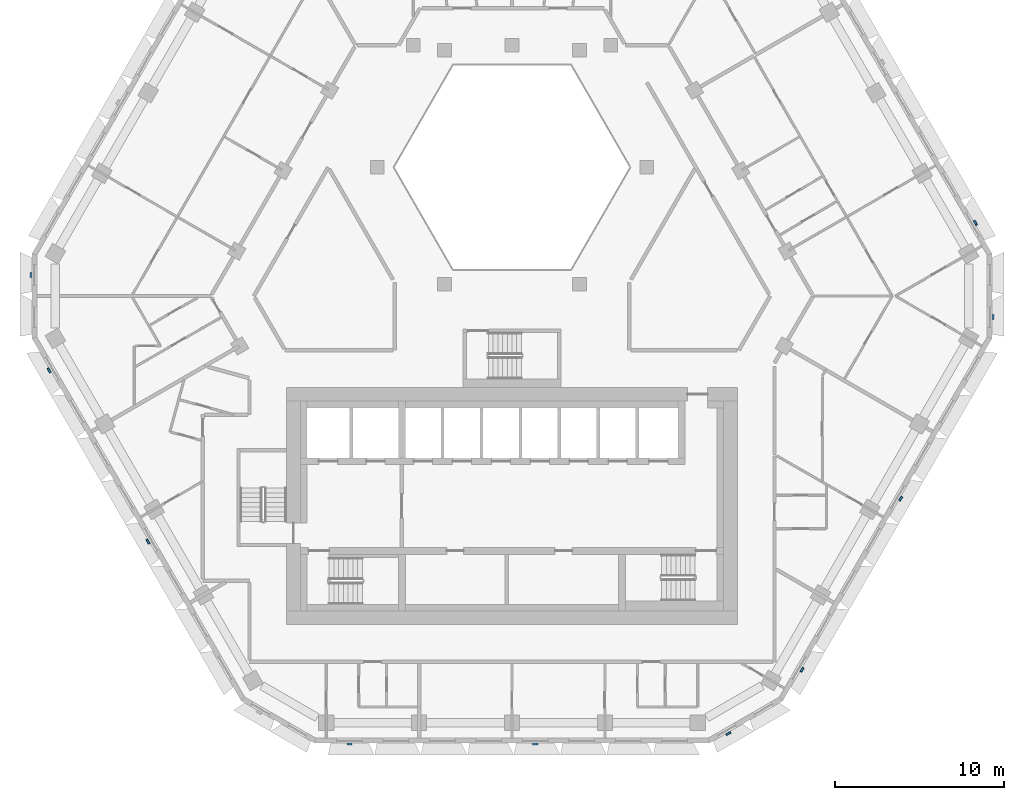
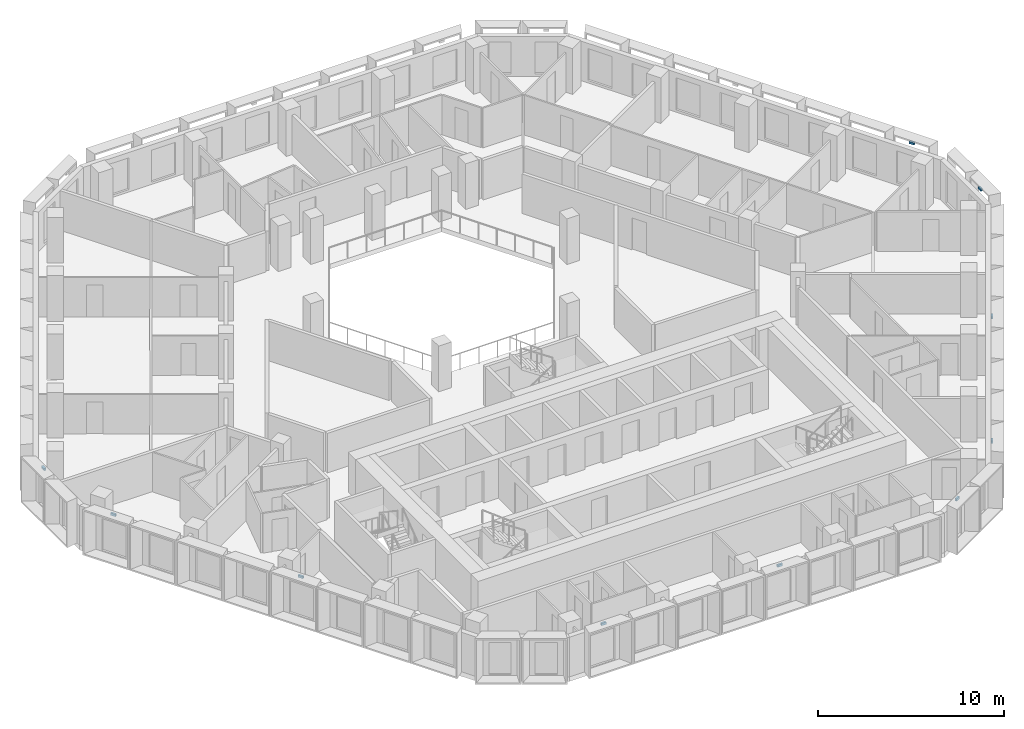
# One storey, part 10 of 17: 10 discrete accessories.
"""IFC4 building model written with IfcOpenShell, lengths in metres."""

from ifc_helpers import new_model, si_unit, direction, frame, origin, place, context, subcontext, project, spatial, polyline, outline, extrude, source, transform, mapped, material, type_object, type_shapes, element, save


model = new_model("IFC4")

# Units and contexts
model_context = context("Model", 3, precision=1e-05, world=origin(), true_north=direction((0.0, 1.0)))
body_context = subcontext(model_context, "Body", "Model", "MODEL_VIEW")
ifc_project = project(units=[si_unit("LENGTHUNIT", "METRE"), si_unit("AREAUNIT", "SQUARE_METRE"), si_unit("VOLUMEUNIT", "CUBIC_METRE"), si_unit("PLANEANGLEUNIT", "RADIAN"), si_unit("MASSUNIT", "GRAM", prefix="KILO")], contexts=[model_context])

# Site, building, storey
site_placement = place(None, origin())
site = spatial("IfcSite", under=ifc_project, at=site_placement, CompositionType="ELEMENT")
building_placement = place(site_placement, origin())
building = spatial("IfcBuilding", under=site, at=building_placement, Name="Beryl Residences", CompositionType="ELEMENT")
storey_placement = place(building_placement, frame((0.0, 0.0, 150.60009765625)))
storey = spatial("IfcBuildingStorey", under=building, at=storey_placement, Name="L46", CompositionType="ELEMENT", Elevation=150.60009765625)

# Discrete accessories
ifc_material = material(Name="Steel S355", Category="steel")
discrete_accessory_type = type_object("IfcDiscreteAccessoryType", Name="BR1 frame bracket 300 x 120 x 150 mm", PredefinedType="BRACKET", material=ifc_material)
shared_shape = source(origin(), body_context, "Body", "SweptSolid", [
    extrude(outline(polyline([(-0.14990234375, 0.0), (0.14990234375, 0.0), (0.14990234375, 0.1201171875), (-0.14990234375, 0.1201171875), (-0.14990234375, 0.0)])), origin(), (0.0, 0.0, 1.0), 0.14990234375),
])
type_shapes(discrete_accessory_type, [shared_shape])
for number, where, z_axis, x_axis, name in (
    (1, (-28.347900390625, 1.64990234375, 2.75), (0.0, 0.0, 1.0), (0.0, 1.0, 0.0), "BR1 bracket L46 NW-SW 1"),
    (2, (-27.27294921875, -3.9619140625, 2.75), (0.0, 0.0, 1.0), (-0.5, 0.866025403784, 0.0), "BR1 bracket L46 SW 1"),
    (3, (-21.44189453125, -14.06201171875, 2.75), (0.0, 0.0, 1.0), (-0.5, 0.866025403784, 0.0), "BR1 bracket L46 SW 5"),
    (4, (-9.597900390625, -26.0, 2.75), (0.0, 0.0, 1.0), (-1.0, 0.0, 0.0), "BR1 bracket L46 S 1"),
    (5, (1.3720703125, -26.0, 2.75), (0.0, 0.0, 1.0), (-1.0, 0.0, 0.0), "BR1 bracket L46 S 5"),
    (6, (12.7451171875, -25.375, 2.75), (0.0, 0.0, 1.0), (-0.866025403784, -0.5, 0.0), "BR1 bracket L46 S-SE 1"),
    (7, (17.06689453125, -21.637939453125, 2.75), (0.0, 0.0, 1.0), (-0.5, -0.866025403784, 0.0), "BR1 bracket L46 SE 1"),
    (8, (22.89794921875, -11.5380859375, 2.75), (0.0, 0.0, 1.0), (-0.5, -0.866025403784, 0.0), "BR1 bracket L46 SE 5"),
    (9, (28.347900390625, -0.85009765625, 2.75), (0.0, 0.0, 1.0), (0.0, -1.0, 0.0), "BR1 bracket L46 SE-NE 1"),
    (10, (27.31591796875, 4.68701171875, 2.75), (0.0, 0.0, 1.0), (0.5, -0.866025403784, 0.0), "BR1 bracket L46 NE 1"),
):
    element("IfcDiscreteAccessory", number, at=place(storey_placement, frame(where, z_axis=z_axis, x_axis=x_axis)), inside=storey, type_object=discrete_accessory_type, Name=name, PredefinedType="BRACKET", context=body_context, shape_type="MappedRepresentation", body=[
        mapped(shared_shape, transform((0.0, 0.0, 0.0))),
    ])

save(model, "model.ifc")
